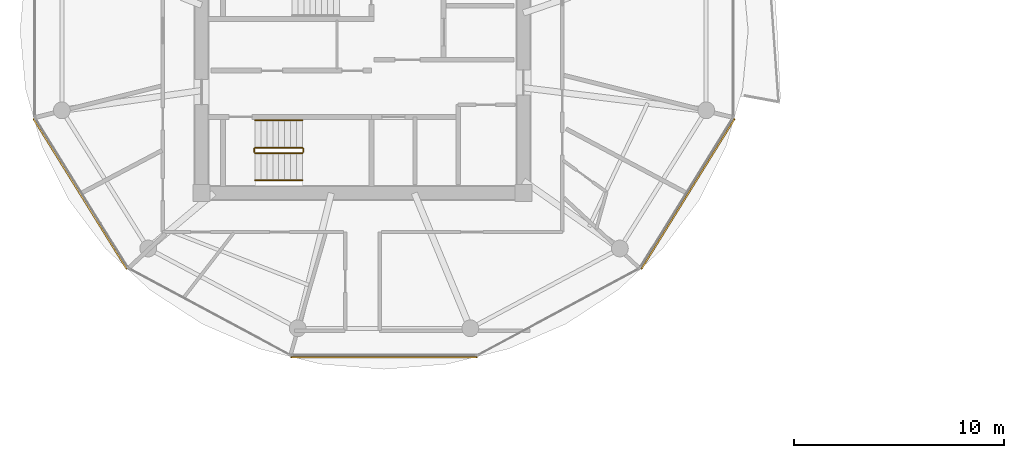
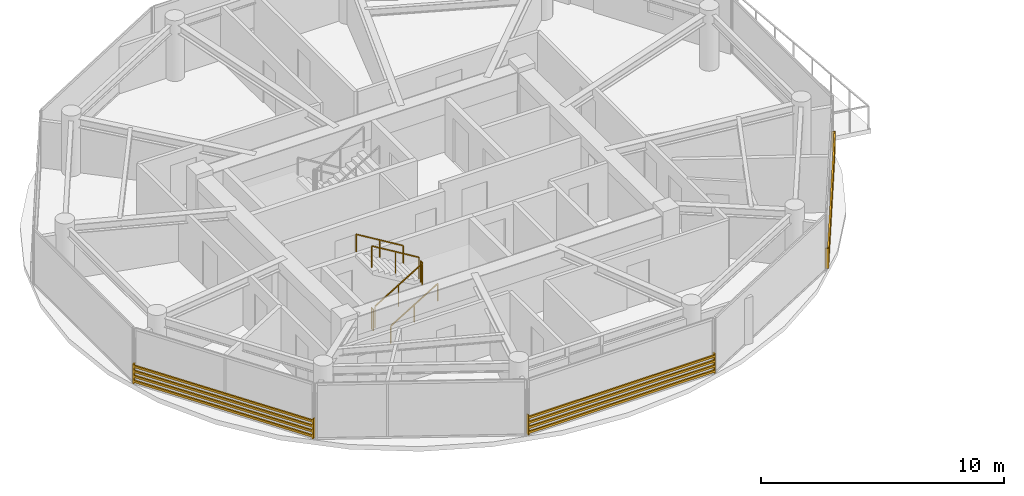
# One storey, part 19 of 22: 6 railings, 3 shading devices.
"""IFC4 building model written with IfcOpenShell, lengths in metres."""

import ifcopenshell
import ifcopenshell.guid

model = None  # the IFC model being written
_history = None  # IfcOwnerHistory: only IFC2X3 demands one
_inside = {}  # id of a spatial element -> (the spatial element, [elements in it])
_under = {}  # id of a project, library or spatial element -> (it, [spatial elements below it])
_declared = {}  # id of a project -> (the project, [libraries it declares])
_typed = {}  # id of a type object -> (the type object, [elements of that type])
_made_of = {}  # id of a material, layer set ... -> (it, [elements and type objects made of it])


def new_model(schema):
    """Start an empty IFC model of exactly this schema.

    Asked for "IFC4X3", IfcOpenShell would pick the latest addendum, in which some entities
    have other attributes; the version numbers below select the first issue.
    IFC2X3 requires an IfcOwnerHistory on every rooted entity: one is made here for all.
    """
    global model, _history
    if schema == "IFC4X3":
        model = ifcopenshell.file(schema_version=(4, 3, 0, 0))
    else:
        model = ifcopenshell.file(schema=schema)
    _inside.clear()
    _under.clear()
    _declared.clear()
    _typed.clear()
    _made_of.clear()
    _history = None
    if model.schema == "IFC2X3":
        org = make("IfcOrganization", Name="unknown")
        user = make(
            "IfcPersonAndOrganization",
            ThePerson=make("IfcPerson", FamilyName="unknown"),
            TheOrganization=org,
        )
        app = make(
            "IfcApplication",
            ApplicationDeveloper=org,
            Version="unknown",
            ApplicationFullName="unknown",
            ApplicationIdentifier="unknown",
        )
        _history = make(
            "IfcOwnerHistory",
            OwningUser=user,
            OwningApplication=app,
            ChangeAction="ADDED",
            CreationDate=0,
        )
    return model


def make(cls, **values):
    """One entity of the class cls with the attributes given. An attribute that is None is left unset."""
    return model.create_entity(
        cls, **{name: value for name, value in values.items() if value is not None}
    )


def rooted(cls, **values):
    """An entity with a GlobalId (a new one), such as an element, a storey or a relation."""
    return make(cls, GlobalId=ifcopenshell.guid.new(), OwnerHistory=_history, **values)


def si_unit(unit_type, name, prefix=None):
    """IfcSIUnit, for example si_unit("LENGTHUNIT", "METRE", prefix="MILLI")."""
    return make("IfcSIUnit", UnitType=unit_type, Prefix=prefix, Name=name)


def assignment(units):
    """IfcUnitAssignment: the units of a project."""
    return None if units is None else make("IfcUnitAssignment", Units=units)


def point(xyz):
    """IfcCartesianPoint."""
    return None if xyz is None else make("IfcCartesianPoint", Coordinates=xyz)


def direction(xyz):
    """IfcDirection."""
    return None if xyz is None else make("IfcDirection", DirectionRatios=xyz)


def frame(location, z_axis=None, x_axis=None):
    """IfcAxis2Placement3D, a coordinate frame: its origin and axes. An axis left out is left unset."""
    return make(
        "IfcAxis2Placement3D",
        Location=point(location),
        Axis=direction(z_axis),
        RefDirection=direction(x_axis),
    )


def frame_2d(location, x_axis=None):
    """IfcAxis2Placement2D, a coordinate frame in the plane: its origin and x axis."""
    return make(
        "IfcAxis2Placement2D", Location=point(location), RefDirection=direction(x_axis)
    )


def origin():
    """The frame at (0, 0, 0) with its axes left unset."""
    return frame((0.0, 0.0, 0.0))


def origin_2d():
    """The frame at (0, 0) in the plane with its x axis left unset."""
    return frame_2d((0.0, 0.0))


def place(relative_to, where):
    """IfcLocalPlacement: puts the frame where relative to a parent placement (None: the world)."""
    return make(
        "IfcLocalPlacement", PlacementRelTo=relative_to, RelativePlacement=where
    )


def context(
    kind, dimensions, precision=None, world=None, true_north=None, identifier=None
):
    """IfcGeometricRepresentationContext, for example the 3D "Model" context."""
    return make(
        "IfcGeometricRepresentationContext",
        ContextIdentifier=identifier,
        ContextType=kind,
        CoordinateSpaceDimension=dimensions,
        Precision=precision,
        WorldCoordinateSystem=world,
        TrueNorth=true_north,
    )


def subcontext(parent, identifier, kind, view, scale=None):
    """IfcGeometricRepresentationSubContext, for example "Body" below "Model"."""
    return make(
        "IfcGeometricRepresentationSubContext",
        ContextIdentifier=identifier,
        ContextType=kind,
        ParentContext=parent,
        TargetScale=scale,
        TargetView=view,
    )


def project(units=None, contexts=None):
    """IfcProject with its units and contexts."""
    return rooted(
        "IfcProject",
        Name="project",
        RepresentationContexts=contexts,
        UnitsInContext=assignment(units),
    )


def spatial(cls, under=None, at=None, **own):
    """A site, building, storey or space (cls), placed at a placement, below another one or the project."""
    s = rooted(cls, ObjectPlacement=at, **own)
    if under is not None:
        _under.setdefault(under.id(), (under, []))[1].append(s)
    return s


def profile(cls, at=None, kind="AREA", **sizes):
    """A parametric profile (cls). Its sizes go by their IFC names, for example OverallWidth=200.0."""
    return make(cls, ProfileType=kind, Position=at, **sizes)


def rectangle(**sizes):
    """IfcRectangleProfileDef."""
    return profile("IfcRectangleProfileDef", **sizes)


def extrude(swept, where, along, depth):
    """IfcExtrudedAreaSolid: the profile swept, set in the frame where, extruded along a direction by depth."""
    return make(
        "IfcExtrudedAreaSolid",
        SweptArea=swept,
        Position=where,
        ExtrudedDirection=direction(along),
        Depth=depth,
    )


def shape(context_of_items, identifier, shape_type, items):
    """IfcShapeRepresentation: the items that make up one representation, for example the "Body"."""
    return make(
        "IfcShapeRepresentation",
        ContextOfItems=context_of_items,
        RepresentationIdentifier=identifier,
        RepresentationType=shape_type,
        Items=items,
    )


def source(mapping_origin, context_of_items, identifier, shape_type, items):
    """IfcRepresentationMap: a shape defined once, which mapped items show again and again."""
    return make(
        "IfcRepresentationMap",
        MappingOrigin=mapping_origin,
        MappedRepresentation=shape(context_of_items, identifier, shape_type, items),
    )


def transform(
    local_origin,
    x_axis=None,
    y_axis=None,
    z_axis=None,
    scale=None,
    scale2=None,
    scale3=None,
    uniform=True,
):
    """IfcCartesianTransformationOperator3D, or its non-uniform kind. x_axis, y_axis, z_axis: its Axis1, 2, 3."""
    if uniform:
        return make(
            "IfcCartesianTransformationOperator3D",
            Axis1=direction(x_axis),
            Axis2=direction(y_axis),
            LocalOrigin=point(local_origin),
            Scale=scale,
            Axis3=direction(z_axis),
        )
    return make(
        "IfcCartesianTransformationOperator3DnonUniform",
        Axis1=direction(x_axis),
        Axis2=direction(y_axis),
        LocalOrigin=point(local_origin),
        Scale=scale,
        Axis3=direction(z_axis),
        Scale2=scale2,
        Scale3=scale3,
    )


def mapped(mapping_source, mapping_target):
    """IfcMappedItem: shows the shape of a source again, moved by a transform."""
    return make(
        "IfcMappedItem", MappingSource=mapping_source, MappingTarget=mapping_target
    )


def material(Name=None, Category=None):
    """IfcMaterial."""
    return make("IfcMaterial", Name=Name, Category=Category)


def made_of(thing, what):
    """Note that an element or type object is made of a material, layer set ...; save() writes the relation."""
    if what is not None:
        _made_of.setdefault(what.id(), (what, []))[1].append(thing)
    return thing


def type_object(cls, material=None, **own):
    """A type object (cls), such as IfcWallType, which elements share."""
    return made_of(rooted(cls, **own), material)


def type_shapes(of_type, sources):
    """Give a type object the sources (RepresentationMaps) that its elements show as mapped items."""
    of_type.RepresentationMaps = sources


def element(
    cls,
    number,
    at=None,
    inside=None,
    cuts=None,
    type_object=None,
    material=None,
    context=None,
    identifier="Body",
    shape_type=None,
    held_by="IfcProductDefinitionShape",
    body=None,
    shapes=None,
    **own,
):
    """One element of the class cls, such as IfcWall. Its Tag is "e" and its number.

    at: its placement. inside: the storey or other place that contains it. cuts: it is an
    opening in that element (IfcRelVoidsElement). A single representation is given by context,
    identifier, shape_type and body (its items); several are given by shapes. held_by: the class
    of the entity that holds the representations. save() writes the other relations.
    """
    e = rooted(cls, Tag="e%d" % number, ObjectPlacement=at, **own)
    if body is not None:
        shapes = [shape(context, identifier, shape_type, body)]
    if shapes is not None:
        e.Representation = make(held_by, Representations=shapes)
    if inside is not None:
        _inside.setdefault(inside.id(), (inside, []))[1].append(e)
    if cuts is not None:
        rooted(
            "IfcRelVoidsElement", RelatingBuildingElement=cuts, RelatedOpeningElement=e
        )
    if type_object is not None:
        _typed.setdefault(type_object.id(), (type_object, []))[1].append(e)
    return made_of(e, material)


def aggregate(whole, parts):
    """IfcRelAggregates: a whole, such as a stair, and the parts it consists of."""
    return rooted("IfcRelAggregates", RelatingObject=whole, RelatedObjects=parts)


def save(model, path):
    """Write the relations noted so far, then the file.

    IfcRelAggregates (storeys below a building ...), IfcRelContainedInSpatialStructure (elements
    in a storey), IfcRelDefinesByType, IfcRelAssociatesMaterial and IfcRelDeclares: one each for
    every whole, place, type object, material and project.
    """
    for whole, parts in _under.values():
        aggregate(whole, parts)
    for where, things in _inside.values():
        rooted(
            "IfcRelContainedInSpatialStructure",
            RelatedElements=things,
            RelatingStructure=where,
        )
    for kind, things in _typed.values():
        rooted("IfcRelDefinesByType", RelatedObjects=things, RelatingType=kind)
    for what, things in _made_of.values():
        rooted("IfcRelAssociatesMaterial", RelatedObjects=things, RelatingMaterial=what)
    for by, libraries in _declared.values():
        rooted("IfcRelDeclares", RelatingContext=by, RelatedDefinitions=libraries)
    model.write(path)


model = new_model("IFC4")

# Units and contexts
model_context = context("Model", 3, precision=1e-05, world=origin(), true_north=direction((0.0, 1.0)))
body_context = subcontext(model_context, "Body", "Model", "MODEL_VIEW")
ifc_project = project(units=[si_unit("LENGTHUNIT", "METRE"), si_unit("AREAUNIT", "SQUARE_METRE"), si_unit("VOLUMEUNIT", "CUBIC_METRE"), si_unit("PLANEANGLEUNIT", "RADIAN"), si_unit("MASSUNIT", "GRAM", prefix="KILO")], contexts=[model_context])

# Site, building, storey
site_placement = place(None, origin())
site = spatial("IfcSite", under=ifc_project, at=site_placement, CompositionType="ELEMENT")
building_placement = place(site_placement, origin())
building = spatial("IfcBuilding", under=site, at=building_placement, Name="Norrkilde Senior Care Towers", CompositionType="ELEMENT")
storey_placement = place(building_placement, frame((0.0, 0.0, 137.35009765625)))
storey = spatial("IfcBuildingStorey", under=building, at=storey_placement, Name="L42", CompositionType="ELEMENT", Elevation=137.35009765625)

# Railings
ifc_material_1 = material(Name="Stainless Steel", Category="steel")
railing_type_1 = type_object("IfcRailingType", Name="Stair and Terrace Guardrail 1100", PredefinedType="GUARDRAIL", material=ifc_material_1)
railing_1_placement = place(storey_placement, frame((-33.10009765625, -4.050048828125, 0.16943359375)))
element("IfcRailing", 1, at=railing_1_placement, inside=storey, type_object=railing_type_1, Name="L42 ST-W2 stair guard 1", PredefinedType="GUARDRAIL", context=body_context, shape_type="SweptSolid", body=[
    extrude(rectangle(XDim=0.048095703125, YDim=0.048095703125, at=origin_2d()), frame((0.0, 0.0, 1.076171875), z_axis=(0.855553338991, 0.0, 0.51771467445), x_axis=(0.0, 1.0, 0.0)), (0.0, 0.0, 1.0), 2.6181640625),
    extrude(rectangle(XDim=0.0419921875, YDim=0.0419921875, at=origin_2d()), origin(), (0.0, 0.0, 1.0), 1.050048828125),
    extrude(rectangle(XDim=0.0419921875, YDim=0.0419921875, at=origin_2d()), frame((1.1201171875, 0.0, 0.677734375)), (0.0, 0.0, 1.0), 1.050048828125),
    extrude(rectangle(XDim=0.0419921875, YDim=0.0419921875, at=origin_2d()), frame((2.239990234375, 0.0, 1.35546875)), (0.0, 0.0, 1.0), 1.050048828125),
])
railing_2_placement = place(storey_placement, frame((-30.81005859375, -4.0, 1.52490234375)))
element("IfcRailing", 2, at=railing_2_placement, inside=storey, type_object=railing_type_1, Name="L42 ST-W2 stair guard 2", PredefinedType="GUARDRAIL", context=body_context, shape_type="SweptSolid", body=[
    extrude(rectangle(XDim=0.048095703125, YDim=0.048095703125, at=origin_2d()), frame((0.0, 0.0, 1.076171875), z_axis=(0.0, 1.0, 0.0), x_axis=(-1.0, 0.0, 0.0)), (0.0, 0.0, 1.0), 0.14990234375),
    extrude(rectangle(XDim=0.0419921875, YDim=0.0419921875, at=origin_2d()), origin(), (0.0, 0.0, 1.0), 1.050048828125),
    extrude(rectangle(XDim=0.0419921875, YDim=0.0419921875, at=origin_2d()), frame((0.0, 0.14990234375, 0.0)), (0.0, 0.0, 1.0), 1.050048828125),
])
railing_3_placement = place(storey_placement, frame((-30.860107421875, -3.800048828125, 1.6943359375)))
element("IfcRailing", 3, at=railing_3_placement, inside=storey, type_object=railing_type_1, Name="L42 ST-W2 stair guard 3", PredefinedType="GUARDRAIL", context=body_context, shape_type="SweptSolid", body=[
    extrude(rectangle(XDim=0.048095703125, YDim=0.048095703125, at=origin_2d()), frame((0.0, 0.0, 1.076171875), z_axis=(-0.855553338991, 0.0, 0.51771467445), x_axis=(0.0, -1.0, 0.0)), (0.0, 0.0, 1.0), 2.6181640625),
    extrude(rectangle(XDim=0.0419921875, YDim=0.0419921875, at=origin_2d()), origin(), (0.0, 0.0, 1.0), 1.050048828125),
    extrude(rectangle(XDim=0.0419921875, YDim=0.0419921875, at=origin_2d()), frame((-1.1201171875, 0.0, 0.677734375)), (0.0, 0.0, 1.0), 1.050048828125),
    extrude(rectangle(XDim=0.0419921875, YDim=0.0419921875, at=origin_2d()), frame((-2.239990234375, 0.0, 1.35546875)), (0.0, 0.0, 1.0), 1.050048828125),
])
railing_4_placement = place(storey_placement, frame((-33.14990234375, -4.0, 0.0)))
element("IfcRailing", 4, at=railing_4_placement, inside=storey, type_object=railing_type_1, Name="L42 ST-W2 stair guard 4", PredefinedType="GUARDRAIL", context=body_context, shape_type="SweptSolid", body=[
    extrude(rectangle(XDim=0.048095703125, YDim=0.048095703125, at=origin_2d()), frame((0.0, 0.0, 1.076171875), z_axis=(0.0, 1.0, 0.0), x_axis=(-1.0, 0.0, 0.0)), (0.0, 0.0, 1.0), 0.14990234375),
    extrude(rectangle(XDim=0.0419921875, YDim=0.0419921875, at=origin_2d()), origin(), (0.0, 0.0, 1.0), 1.050048828125),
    extrude(rectangle(XDim=0.0419921875, YDim=0.0419921875, at=origin_2d()), frame((0.0, 0.14990234375, 0.0)), (0.0, 0.0, 1.0), 1.050048828125),
])
ifc_material_2 = material(Name="Nordic Ash Timber", Category="wood")
railing_type_2 = type_object("IfcRailingType", Name="Wall and Stair Handrail 900", PredefinedType="HANDRAIL", material=ifc_material_2)
railing_5_placement = place(storey_placement, frame((-33.10009765625, -5.35009765625, 0.16943359375)))
element("IfcRailing", 5, at=railing_5_placement, inside=storey, type_object=railing_type_2, Name="L42 ST-W2 stair handrail 1", PredefinedType="HANDRAIL", context=body_context, shape_type="SweptSolid", body=[
    extrude(rectangle(XDim=0.048095703125, YDim=0.048095703125, at=origin_2d()), frame((0.0, 0.0, 0.8759765625), z_axis=(0.855553338991, 0.0, 0.51771467445), x_axis=(0.0, 1.0, 0.0)), (0.0, 0.0, 1.0), 2.6181640625),
    extrude(rectangle(XDim=0.0419921875, YDim=0.0419921875, at=origin_2d()), origin(), (0.0, 0.0, 1.0), 0.849853515625),
    extrude(rectangle(XDim=0.0419921875, YDim=0.0419921875, at=origin_2d()), frame((1.1201171875, 0.0, 0.677734375)), (0.0, 0.0, 1.0), 0.849853515625),
    extrude(rectangle(XDim=0.0419921875, YDim=0.0419921875, at=origin_2d()), frame((2.239990234375, 0.0, 1.35546875)), (0.0, 0.0, 1.0), 0.849853515625),
])
railing_6_placement = place(storey_placement, frame((-30.860107421875, -2.5, 1.6943359375)))
element("IfcRailing", 6, at=railing_6_placement, inside=storey, type_object=railing_type_2, Name="L42 ST-W2 stair handrail 2", PredefinedType="HANDRAIL", context=body_context, shape_type="SweptSolid", body=[
    extrude(rectangle(XDim=0.048095703125, YDim=0.048095703125, at=origin_2d()), frame((0.0, 0.0, 0.8759765625), z_axis=(-0.855553338991, 0.0, 0.51771467445), x_axis=(0.0, -1.0, 0.0)), (0.0, 0.0, 1.0), 2.6181640625),
    extrude(rectangle(XDim=0.0419921875, YDim=0.0419921875, at=origin_2d()), origin(), (0.0, 0.0, 1.0), 0.849853515625),
    extrude(rectangle(XDim=0.0419921875, YDim=0.0419921875, at=origin_2d()), frame((-1.1201171875, 0.0, 0.677734375)), (0.0, 0.0, 1.0), 0.849853515625),
    extrude(rectangle(XDim=0.0419921875, YDim=0.0419921875, at=origin_2d()), frame((-2.239990234375, 0.0, 1.35546875)), (0.0, 0.0, 1.0), 0.849853515625),
])

# Shading devices
ifc_material_3 = material(Name="Architectural Terracotta", Category="masonry")
shading_device_type = type_object("IfcShadingDeviceType", Name="Horizontal Terracotta Baguette Rack", PredefinedType="USERDEFINED", material=ifc_material_3)
shared_shape_1 = source(origin(), body_context, "Body", "SweptSolid", [
    extrude(rectangle(XDim=0.070068359375, YDim=0.110107421875, at=origin_2d()), frame((0.0, 0.090087890625, 0.125), z_axis=(1.0, 0.0, 0.0), x_axis=(0.0, 1.0, 0.0)), (0.0, 0.0, 1.0), 8.89306640625),
    extrude(rectangle(XDim=0.070068359375, YDim=0.110107421875, at=origin_2d()), frame((0.0, 0.090087890625, 0.375), z_axis=(1.0, 0.0, 0.0), x_axis=(0.0, 1.0, 0.0)), (0.0, 0.0, 1.0), 8.89306640625),
    extrude(rectangle(XDim=0.070068359375, YDim=0.110107421875, at=origin_2d()), frame((0.0, 0.090087890625, 0.625), z_axis=(1.0, 0.0, 0.0), x_axis=(0.0, 1.0, 0.0)), (0.0, 0.0, 1.0), 8.89306640625),
    extrude(rectangle(XDim=0.070068359375, YDim=0.110107421875, at=origin_2d()), frame((0.0, 0.090087890625, 0.875), z_axis=(1.0, 0.0, 0.0), x_axis=(0.0, 1.0, 0.0)), (0.0, 0.0, 1.0), 8.89306640625),
    extrude(rectangle(XDim=0.050048828125, YDim=0.1552734375, at=origin_2d()), frame((0.02490234375, 0.047607421875, 0.0)), (0.0, 0.0, 1.0), 1.0),
    extrude(rectangle(XDim=0.050048828125, YDim=0.1552734375, at=origin_2d()), frame((8.8681640625, 0.047607421875, 0.0)), (0.0, 0.0, 1.0), 1.0),
])
shading_device_placement = place(storey_placement, frame((-22.528564453125, -13.66015625, 0.079833984375), z_axis=(0.0, 0.0, 1.0), x_axis=(-1.0, 0.0, 0.0)))
element("IfcShadingDevice", 7, at=shading_device_placement, inside=storey, type_object=shading_device_type, Name="L42 Drum W Terracotta Baguette Screen 08", ObjectType="BAGUETTE", PredefinedType="USERDEFINED", context=body_context, shape_type="MappedRepresentation", body=[
    mapped(shared_shape_1, transform((0.0, 0.0, 0.0), x_axis=(1.0, 0.0, 0.0), y_axis=(0.0, 1.0, 0.0), z_axis=(0.0, 0.0, 1.0), scale=1.0)),
])
shared_shape_2 = source(origin(), body_context, "Body", "SweptSolid", [
    extrude(rectangle(XDim=0.070068359375, YDim=0.110107421875, at=origin_2d()), frame((0.0, 0.090087890625, 0.125), z_axis=(1.0, 0.0, 0.0), x_axis=(0.0, 1.0, 0.0)), (0.0, 0.0, 1.0), 8.431396484375),
    extrude(rectangle(XDim=0.070068359375, YDim=0.110107421875, at=origin_2d()), frame((0.0, 0.090087890625, 0.375), z_axis=(1.0, 0.0, 0.0), x_axis=(0.0, 1.0, 0.0)), (0.0, 0.0, 1.0), 8.431396484375),
    extrude(rectangle(XDim=0.070068359375, YDim=0.110107421875, at=origin_2d()), frame((0.0, 0.090087890625, 0.625), z_axis=(1.0, 0.0, 0.0), x_axis=(0.0, 1.0, 0.0)), (0.0, 0.0, 1.0), 8.431396484375),
    extrude(rectangle(XDim=0.070068359375, YDim=0.110107421875, at=origin_2d()), frame((0.0, 0.090087890625, 0.875), z_axis=(1.0, 0.0, 0.0), x_axis=(0.0, 1.0, 0.0)), (0.0, 0.0, 1.0), 8.431396484375),
    extrude(rectangle(XDim=0.050048828125, YDim=0.1552734375, at=origin_2d()), frame((0.02490234375, 0.047607421875, 0.0)), (0.0, 0.0, 1.0), 1.0),
    extrude(rectangle(XDim=0.050048828125, YDim=0.1552734375, at=origin_2d()), frame((8.40625, 0.047607421875, 0.0)), (0.0, 0.0, 1.0), 1.0),
])
type_shapes(shading_device_type, [shared_shape_1, shared_shape_2])
for number, where, z_axis, x_axis, name in (
    (8, (-39.123046875, -9.524169921875, 0.079833984375), (0.0, 0.0, 1.0), (-0.527378022296, 0.849630809324, 0.0), "L42 Drum W Terracotta Baguette Screen 06"),
    (9, (-10.38037109375, -2.360595703125, 0.079833984375), (0.0, 0.0, 1.0), (-0.527378022296, -0.849630809324, 0.0), "L42 Drum W Terracotta Baguette Screen 10"),
):
    element("IfcShadingDevice", number, at=place(storey_placement, frame(where, z_axis=z_axis, x_axis=x_axis)), inside=storey, type_object=shading_device_type, Name=name, ObjectType="BAGUETTE", PredefinedType="USERDEFINED", context=body_context, shape_type="MappedRepresentation", body=[
        mapped(shared_shape_2, transform((0.0, 0.0, 0.0), x_axis=(1.0, 0.0, 0.0), y_axis=(0.0, 1.0, 0.0), z_axis=(0.0, 0.0, 1.0), scale=1.0)),
    ])

save(model, "model.ifc")
